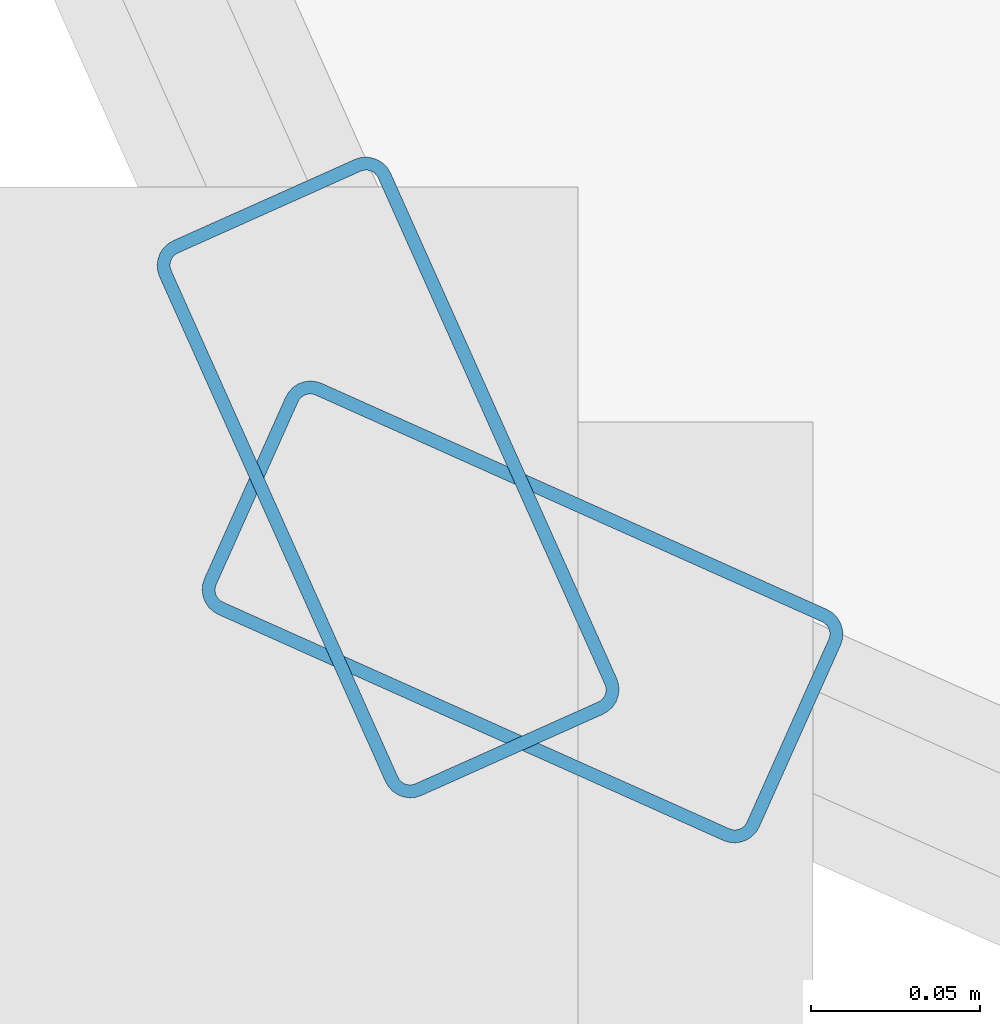
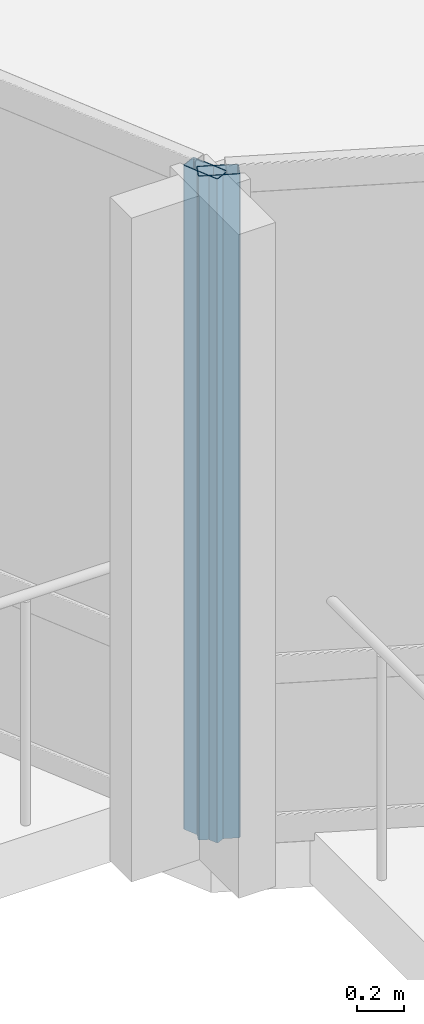
# One storey, part 2 of 19: 2 members, 2 elements without a shape of their own.
"""IFC4 building model written with IfcOpenShell, lengths in metres."""

from ifc_helpers import new_model, si_unit, direction, frame, origin, origin_2d, place, context, subcontext, project, spatial, hollow_rectangle, extrude, material, layer, layer_set, material_profile, profile_set, type_object, element, aggregate, save


model = new_model("IFC4")

# Units and contexts
model_context = context("Model", 3, precision=1e-05, world=origin(), true_north=direction((0.0, 1.0)))
body_context = subcontext(model_context, "Body", "Model", "MODEL_VIEW")
ifc_project = project(units=[si_unit("LENGTHUNIT", "METRE"), si_unit("AREAUNIT", "SQUARE_METRE"), si_unit("VOLUMEUNIT", "CUBIC_METRE"), si_unit("PLANEANGLEUNIT", "RADIAN"), si_unit("MASSUNIT", "GRAM", prefix="KILO")], contexts=[model_context])

# Site, building, storey
site_placement = place(None, origin())
site = spatial("IfcSite", under=ifc_project, at=site_placement, CompositionType="ELEMENT")
building_placement = place(site_placement, origin())
building = spatial("IfcBuilding", under=site, at=building_placement, Name="Solvaryn Broadcast Tower", CompositionType="ELEMENT")
storey_placement = place(building_placement, frame((0.0, 0.0, 248.199951171875)))
storey = spatial("IfcBuildingStorey", under=building, at=storey_placement, Name="L62", CompositionType="ELEMENT", Elevation=248.199951171875)

# Curtain wall, member
ifc_material_1 = material(Name="Aluminium and Terracotta Unitised Curtain Wall", Category="masonry")
ifc_layer = layer(ifc_material_1, 0.199951171875)
ifc_layer_set = layer_set([ifc_layer], Name="CW-SYS2-LOWMID")
curtain_wall_type = type_object("IfcCurtainWallType", Name="CW-SYS2-LOWMID", PredefinedType="NOTDEFINED", material=ifc_layer_set)
curtain_wall_1_placement = place(storey_placement, origin())
curtain_wall_1 = element("IfcCurtainWall", 1, at=curtain_wall_1_placement, inside=storey, type_object=curtain_wall_type, Name="L62 Curtain Wall DR2", PredefinedType="NOTDEFINED")
ifc_material_2 = material(Name="Anodised Aluminium 6063-T6", Category="aluminium")
ifc_material_profile = material_profile(ifc_material_2, hollow_rectangle(XDim=0.074951171875, YDim=0.179931640625, WallThickness=0.00390625, InnerFilletRadius=0.00390625, OuterFilletRadius=0.008056640625, at=origin_2d()))
ifc_profile_set = profile_set([ifc_material_profile], Name="Anodised Aluminium 6063-T6")
member_type = type_object("IfcMemberType", Name="CW-MUL-180", PredefinedType="MULLION", material=ifc_profile_set)
member_1_placement = place(storey_placement, frame((10.8046875, 10.844482421875, 0.0), z_axis=(0.0, 0.0, 1.0), x_axis=(0.912773530574, 0.408466010682, 0.0)))
member_1 = element("IfcMember", 2, at=member_1_placement, type_object=member_type, Name="CWS2 mullion 2", PredefinedType="MULLION", context=body_context, shape_type="SweptSolid", body=[
    extrude(hollow_rectangle(XDim=0.074951171875, YDim=0.179931640625, WallThickness=0.00390625, InnerFilletRadius=0.00390625, OuterFilletRadius=0.008056640625, at=origin_2d()), origin(), (0.0, 0.0, 1.0), 3.420166015625),
])
aggregate(curtain_wall_1, [member_1])

curtain_wall_2_placement = place(storey_placement, origin())
curtain_wall_2 = element("IfcCurtainWall", 3, at=curtain_wall_2_placement, inside=storey, type_object=curtain_wall_type, Name="L62 Curtain Wall DR3", PredefinedType="NOTDEFINED")
member_2_placement = place(storey_placement, frame((10.844482421875, 10.8046875, 0.0), z_axis=(0.0, 0.0, 1.0), x_axis=(0.408466010682, 0.912773530574, 0.0)))
member_2 = element("IfcMember", 4, at=member_2_placement, type_object=member_type, Name="CWS2 mullion 1", PredefinedType="MULLION", context=body_context, shape_type="SweptSolid", body=[
    extrude(hollow_rectangle(XDim=0.074951171875, YDim=0.179931640625, WallThickness=0.00390625, InnerFilletRadius=0.00390625, OuterFilletRadius=0.008056640625, at=origin_2d()), origin(), (0.0, 0.0, 1.0), 3.420166015625),
])
aggregate(curtain_wall_2, [member_2])

save(model, "model.ifc")
